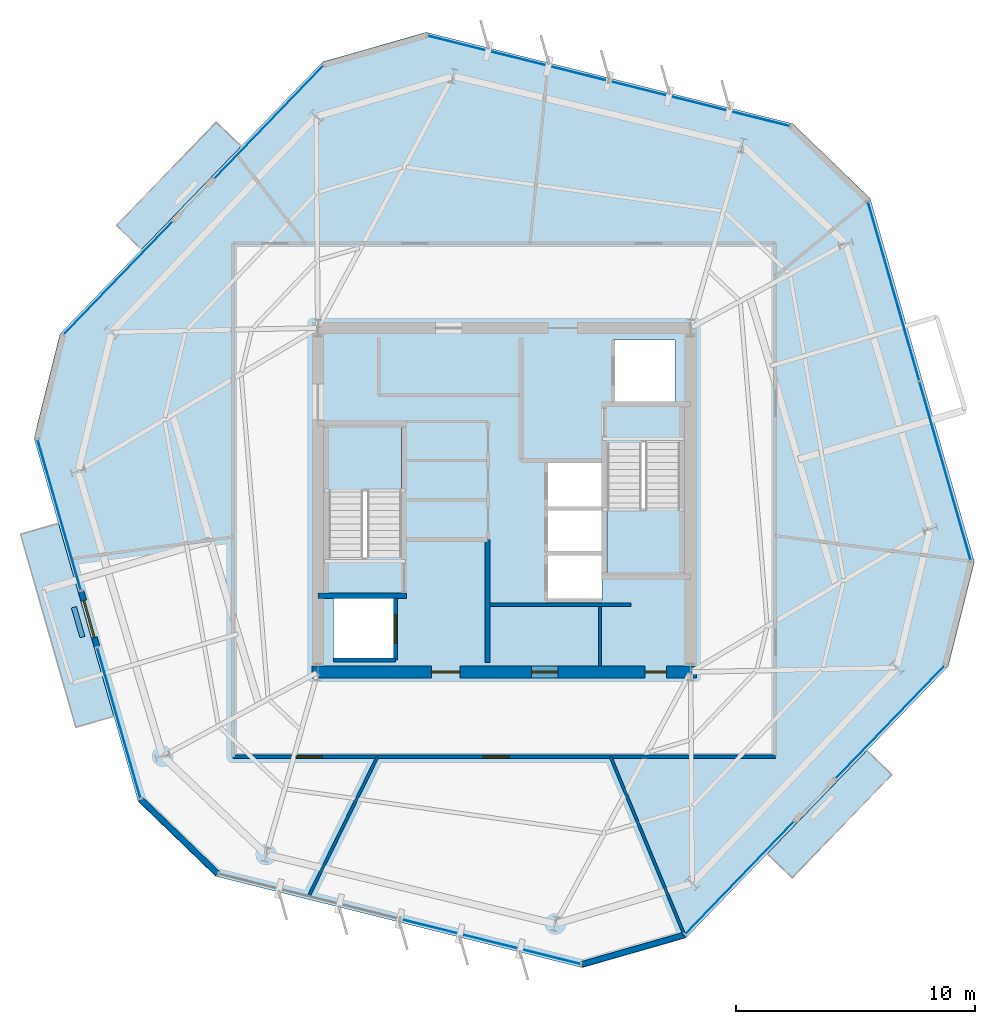
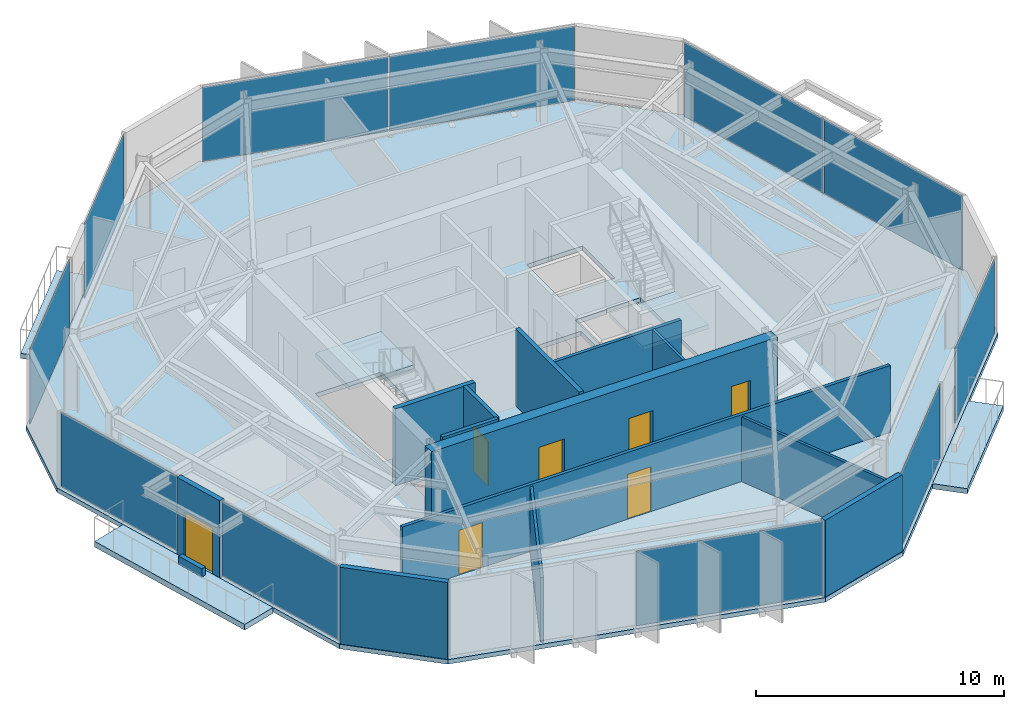
# One storey, part 6 of 11: 14 walls, 11 plates, 7 doors, 6 slabs, 7 openings, 11 elements without a shape of their own.
"""IFC4 building model written with IfcOpenShell, lengths in metres."""

from ifc_helpers import new_model, si_unit, direction, frame, frame_2d, origin, origin_2d, place, context, subcontext, project, spatial, polyline, rectangle, outline, extrude, material, layer, layer_set, type_object, element, fill, aggregate, save


model = new_model("IFC4")

# Units and contexts
model_context = context("Model", 3, precision=1e-05, world=origin(), true_north=direction((0.0, 1.0)))
body_context = subcontext(model_context, "Body", "Model", "MODEL_VIEW")
ifc_project = project(units=[si_unit("LENGTHUNIT", "METRE"), si_unit("AREAUNIT", "SQUARE_METRE"), si_unit("VOLUMEUNIT", "CUBIC_METRE"), si_unit("PLANEANGLEUNIT", "RADIAN"), si_unit("MASSUNIT", "GRAM", prefix="KILO")], contexts=[model_context])

# Site, building, storey
site_placement = place(None, origin())
site = spatial("IfcSite", under=ifc_project, at=site_placement, CompositionType="ELEMENT")
building_placement = place(site_placement, origin())
building = spatial("IfcBuilding", under=site, at=building_placement, Name="Kranzbogen Civic Tower", CompositionType="ELEMENT")
storey_placement = place(building_placement, frame((0.0, 0.0, 208.800048828125)))
storey = spatial("IfcBuildingStorey", under=building, at=storey_placement, Name="L50", CompositionType="ELEMENT", Elevation=208.800048828125)

# Slab
ifc_material_1 = material(Name="Concrete C40/50", Category="concrete")
ifc_layer_1 = layer(ifc_material_1, 0.219970703125, Name="Concrete C40/50")
ifc_layer_set_1 = layer_set([ifc_layer_1], Name="Concrete C40/50")
slab_type_1 = type_object("IfcSlabType", Name="Composite Upper Tower Floor Slab 220 mm", PredefinedType="FLOOR", material=ifc_layer_set_1)
slab_1_placement = place(storey_placement, frame((0.0, 0.0, -0.219970703125)))
element("IfcSlab", 1, at=slab_1_placement, inside=storey, type_object=slab_type_1, Name="L50 tower floor slab", PredefinedType="FLOOR", context=body_context, shape_type="SweptSolid", body=[
    extrude(outline(polyline([(37.077880859375, 40.74609375), (21.72802734375, 44.572998046875), (17.403076171875, 43.3330078125), (6.4130859375, 31.952880859375), (5.324951171875, 27.5869140625), (9.68505859375, 12.3798828125), (12.922119140625, 9.25390625), (28.27197265625, 5.427001953125), (32.596923828125, 6.6669921875), (43.5869140625, 18.047119140625), (44.675048828125, 22.4130859375), (40.31494140625, 37.6201171875), (37.077880859375, 40.74609375)]), holes=[polyline([(17.85009765625, 20.89990234375), (20.449951171875, 20.89990234375), (20.449951171875, 18.300048828125), (17.85009765625, 18.300048828125), (17.85009765625, 20.89990234375)]), polyline([(29.10009765625, 22.699951171875), (29.10009765625, 20.800048828125), (26.75, 20.800048828125), (26.75, 22.699951171875), (29.10009765625, 22.699951171875)]), polyline([(29.10009765625, 24.64990234375), (29.10009765625, 22.77490234375), (26.75, 22.77490234375), (26.75, 24.64990234375), (26.75, 24.675048828125), (26.75, 26.550048828125), (29.10009765625, 26.550048828125), (29.10009765625, 24.675048828125), (29.10009765625, 24.64990234375)]), polyline([(29.300048828125, 27.340087890625), (30.75, 27.340087890625), (30.75, 27.39990234375), (32.35009765625, 27.39990234375), (32.35009765625, 21.89990234375), (29.300048828125, 21.89990234375), (29.300048828125, 27.340087890625)]), polyline([(20.699951171875, 22.659912109375), (19.25, 22.659912109375), (19.25, 22.60009765625), (17.64990234375, 22.60009765625), (17.64990234375, 28.10009765625), (20.699951171875, 28.10009765625), (20.699951171875, 22.659912109375)]), polyline([(32.14990234375, 31.699951171875), (32.14990234375, 29.10009765625), (29.550048828125, 29.10009765625), (29.550048828125, 31.699951171875), (32.14990234375, 31.699951171875)])]), origin(), (0.0, 0.0, 1.0), 0.219970703125),
])

# Curtain wall, plates
ifc_material_2 = material(Name="Pale Anodised Aluminium", Category="aluminium")
ifc_layer_2 = layer(ifc_material_2, 0.219970703125, Name="Pale Anodised Aluminium")
ifc_layer_set_2 = layer_set([ifc_layer_2], Name="Pale Anodised Aluminium")
curtain_wall_type = type_object("IfcCurtainWallType", Name="Zone 3 Stick Curtain Wall System CW-04", PredefinedType="USERDEFINED", material=ifc_layer_set_2)
curtain_wall_1_placement = place(storey_placement, origin())
curtain_wall_1 = element("IfcCurtainWall", 2, at=curtain_wall_1_placement, inside=storey, type_object=curtain_wall_type, Name="L50 curtain wall CW-L50-F1", ObjectType="STICK CURTAIN WALL", PredefinedType="USERDEFINED")
ifc_material_3 = material(Name="Low-E Triple Glazing Glass", Category="glass")
ifc_layer_3 = layer(ifc_material_3, 0.030029296875, Name="Low-E Triple Glazing Glass")
ifc_layer_set_3 = layer_set([ifc_layer_3], Name="Low-E Triple Glazing Glass")
plate_type = type_object("IfcPlateType", Name="Insulated Low-E Glazing Panel 30 mm", PredefinedType="CURTAIN_PANEL", material=ifc_layer_set_3)
plate_1_placement = place(storey_placement, frame((33.16796875, 41.588623046875, 0.06005859375), z_axis=(0.0, 0.0, 1.0), x_axis=(-0.970299572817, 0.241906467442, 0.0)))
plate_1 = element("IfcPlate", 3, at=plate_1_placement, type_object=plate_type, Name="CW-04 panel 1.1", PredefinedType="CURTAIN_PANEL", context=body_context, shape_type="SweptSolid", body=[
    extrude(rectangle(XDim=7.76416015625, YDim=0.028076171875, at=origin_2d()), origin(), (0.0, 0.0, 1.0), 3.659912109375),
])
plate_2_placement = place(storey_placement, frame((25.576171875, 43.4814453125, 0.06005859375), z_axis=(0.0, 0.0, 1.0), x_axis=(-0.970299572817, 0.241906467442, 0.0)))
plate_2 = element("IfcPlate", 4, at=plate_2_placement, type_object=plate_type, Name="CW-04 panel 2.1", PredefinedType="CURTAIN_PANEL", context=body_context, shape_type="SweptSolid", body=[
    extrude(rectangle(XDim=7.76416015625, YDim=0.028076171875, at=origin_2d()), origin(), (0.0, 0.0, 1.0), 3.659912109375),
])
aggregate(curtain_wall_1, [plate_1, plate_2])

# Curtain wall, plate
curtain_wall_2_placement = place(storey_placement, origin())
curtain_wall_2 = element("IfcCurtainWall", 5, at=curtain_wall_2_placement, inside=storey, type_object=curtain_wall_type, Name="L50 curtain wall CW-L50-F2-S1", ObjectType="STICK CURTAIN WALL", PredefinedType="USERDEFINED")
plate_3_placement = place(storey_placement, frame((15.1455078125, 40.810546875, 0.06005859375), z_axis=(0.0, 0.0, 1.0), x_axis=(-0.694677640583, -0.719321190897, 0.0)))
plate_3 = element("IfcPlate", 6, at=plate_3_placement, type_object=plate_type, Name="CW-04 panel 1.1", PredefinedType="CURTAIN_PANEL", context=body_context, shape_type="SweptSolid", body=[
    extrude(rectangle(XDim=6.534912109375, YDim=0.028076171875, at=origin_2d()), origin(), (0.0, 0.0, 1.0), 3.659912109375),
])
aggregate(curtain_wall_2, [plate_3])

curtain_wall_3_placement = place(storey_placement, origin())
curtain_wall_3 = element("IfcCurtainWall", 7, at=curtain_wall_3_placement, inside=storey, type_object=curtain_wall_type, Name="L50 curtain wall CW-L50-F2-S2", ObjectType="STICK CURTAIN WALL", PredefinedType="USERDEFINED")
plate_4_placement = place(storey_placement, frame((8.85546875, 34.297607421875, 0.06005859375), z_axis=(0.0, 0.0, 1.0), x_axis=(-0.694677640583, -0.719321190897, 0.0)))
plate_4 = element("IfcPlate", 8, at=plate_4_placement, type_object=plate_type, Name="CW-04 panel 1.1", PredefinedType="CURTAIN_PANEL", context=body_context, shape_type="SweptSolid", body=[
    extrude(rectangle(XDim=6.534912109375, YDim=0.028076171875, at=origin_2d()), origin(), (0.0, 0.0, 1.0), 3.659912109375),
])
aggregate(curtain_wall_3, [plate_4])

curtain_wall_4_placement = place(storey_placement, origin())
curtain_wall_4 = element("IfcCurtainWall", 9, at=curtain_wall_4_placement, inside=storey, type_object=curtain_wall_type, Name="L50 curtain wall CW-L50-F3-S1", ObjectType="STICK CURTAIN WALL", PredefinedType="USERDEFINED")
plate_5_placement = place(storey_placement, frame((6.381103515625, 24.37060546875, 0.06005859375), z_axis=(0.0, 0.0, 1.0), x_axis=(0.275594278919, -0.961274046996, 0.0)))
plate_5 = element("IfcPlate", 10, at=plate_5_placement, type_object=plate_type, Name="CW-04 panel 1.1", PredefinedType="CURTAIN_PANEL", context=body_context, shape_type="SweptSolid", body=[
    extrude(rectangle(XDim=6.53466796875, YDim=0.028076171875, at=origin_2d()), origin(), (0.0, 0.0, 1.0), 3.659912109375),
])
aggregate(curtain_wall_4, [plate_5])

curtain_wall_5_placement = place(storey_placement, origin())
curtain_wall_5 = element("IfcCurtainWall", 11, at=curtain_wall_5_placement, inside=storey, type_object=curtain_wall_type, Name="L50 curtain wall CW-L50-F3-S2", ObjectType="STICK CURTAIN WALL", PredefinedType="USERDEFINED")
plate_6_placement = place(storey_placement, frame((8.8759765625, 15.6669921875, 0.06005859375), z_axis=(0.0, 0.0, 1.0), x_axis=(0.275634094063, -0.961262631225, 0.0)))
plate_6 = element("IfcPlate", 12, at=plate_6_placement, type_object=plate_type, Name="CW-04 panel 1.1", PredefinedType="CURTAIN_PANEL", context=body_context, shape_type="SweptSolid", body=[
    extrude(rectangle(XDim=6.53369140625, YDim=0.028076171875, at=origin_2d()), origin(), (0.0, 0.0, 1.0), 3.659912109375),
])
aggregate(curtain_wall_5, [plate_6])

curtain_wall_6_placement = place(storey_placement, origin())
curtain_wall_6 = element("IfcCurtainWall", 13, at=curtain_wall_6_placement, inside=storey, type_object=curtain_wall_type, Name="L50 curtain wall CW-L50-F4", ObjectType="STICK CURTAIN WALL", PredefinedType="USERDEFINED")
plate_7_placement = place(storey_placement, frame((24.423828125, 6.5185546875, 0.06005859375), z_axis=(0.0, 0.0, 1.0), x_axis=(0.970299572817, -0.241906467442, 0.0)))
plate_7 = element("IfcPlate", 14, at=plate_7_placement, type_object=plate_type, Name="CW-04 panel 2.1", PredefinedType="CURTAIN_PANEL", context=body_context, shape_type="SweptSolid", body=[
    extrude(rectangle(XDim=7.76416015625, YDim=0.028076171875, at=origin_2d()), origin(), (0.0, 0.0, 1.0), 3.659912109375),
])
aggregate(curtain_wall_6, [plate_7])

curtain_wall_7_placement = place(storey_placement, origin())
curtain_wall_7 = element("IfcCurtainWall", 15, at=curtain_wall_7_placement, inside=storey, type_object=curtain_wall_type, Name="L50 curtain wall CW-L50-F5-S1", ObjectType="STICK CURTAIN WALL", PredefinedType="USERDEFINED")
plate_8_placement = place(storey_placement, frame((34.8544921875, 9.189453125, 0.06005859375), z_axis=(0.0, 0.0, 1.0), x_axis=(0.694677640583, 0.719321190897, 0.0)))
plate_8 = element("IfcPlate", 16, at=plate_8_placement, type_object=plate_type, Name="CW-04 panel 1.1", PredefinedType="CURTAIN_PANEL", context=body_context, shape_type="SweptSolid", body=[
    extrude(rectangle(XDim=6.534912109375, YDim=0.028076171875, at=origin_2d()), origin(), (0.0, 0.0, 1.0), 3.659912109375),
])
aggregate(curtain_wall_7, [plate_8])

curtain_wall_8_placement = place(storey_placement, origin())
curtain_wall_8 = element("IfcCurtainWall", 17, at=curtain_wall_8_placement, inside=storey, type_object=curtain_wall_type, Name="L50 curtain wall CW-L50-F5-S2", ObjectType="STICK CURTAIN WALL", PredefinedType="USERDEFINED")
plate_9_placement = place(storey_placement, frame((41.14453125, 15.702392578125, 0.06005859375), z_axis=(0.0, 0.0, 1.0), x_axis=(0.694677640583, 0.719321190897, 0.0)))
plate_9 = element("IfcPlate", 18, at=plate_9_placement, type_object=plate_type, Name="CW-04 panel 1.1", PredefinedType="CURTAIN_PANEL", context=body_context, shape_type="SweptSolid", body=[
    extrude(rectangle(XDim=6.534912109375, YDim=0.028076171875, at=origin_2d()), origin(), (0.0, 0.0, 1.0), 3.659912109375),
])
aggregate(curtain_wall_8, [plate_9])

# Curtain wall, plates
curtain_wall_9_placement = place(storey_placement, origin())
curtain_wall_9 = element("IfcCurtainWall", 19, at=curtain_wall_9_placement, inside=storey, type_object=curtain_wall_type, Name="L50 curtain wall CW-L50-F6", ObjectType="STICK CURTAIN WALL", PredefinedType="USERDEFINED")
plate_10_placement = place(storey_placement, frame((43.44970703125, 26.220458984375, 0.06005859375), z_axis=(0.0, 0.0, 1.0), x_axis=(-0.275587041813, 0.961276121822, 0.0)))
plate_10 = element("IfcPlate", 20, at=plate_10_placement, type_object=plate_type, Name="CW-04 panel 1.1", PredefinedType="CURTAIN_PANEL", context=body_context, shape_type="SweptSolid", body=[
    extrude(rectangle(XDim=7.76416015625, YDim=0.028076171875, at=origin_2d()), origin(), (0.0, 0.0, 1.0), 3.659912109375),
])
plate_11_placement = place(storey_placement, frame((41.29345703125, 33.74169921875, 0.06005859375), z_axis=(0.0, 0.0, 1.0), x_axis=(-0.275587041813, 0.961276121822, 0.0)))
plate_11 = element("IfcPlate", 21, at=plate_11_placement, type_object=plate_type, Name="CW-04 panel 2.1", PredefinedType="CURTAIN_PANEL", context=body_context, shape_type="SweptSolid", body=[
    extrude(rectangle(XDim=7.76416015625, YDim=0.028076171875, at=origin_2d()), origin(), (0.0, 0.0, 1.0), 3.659912109375),
])
aggregate(curtain_wall_9, [plate_10, plate_11])

# Stair, slab
ifc_material_4 = material(Name="Precast concrete C40/50", Category="concrete")
stair_type_1 = type_object("IfcStairType", Name="Tower Core Pressurized Dogleg Stair 1450", PredefinedType="HALF_TURN_STAIR", material=ifc_material_4)
stair_1_placement = place(storey_placement, origin())
stair_1 = element("IfcStair", 22, at=stair_1_placement, inside=storey, type_object=stair_type_1, Name="L50 Tower Core Pressurized Stair 1", PredefinedType="HALF_TURN_STAIR")
ifc_layer_4 = layer(ifc_material_4, 0.199951171875, Name="Precast concrete C40/50")
ifc_layer_set_4 = layer_set([ifc_layer_4], Name="Precast concrete C40/50")
slab_type_2 = type_object("IfcSlabType", Name="Precast Concrete Stair Landing Slab 200 mm", PredefinedType="LANDING", material=ifc_layer_set_4)
slab_2_placement = place(storey_placement, frame((0.0, 0.0, 1.800048828125)))
slab_2 = element("IfcSlab", 23, at=slab_2_placement, type_object=slab_type_2, Name="ST-T1 landing 1", PredefinedType="LANDING", context=body_context, shape_type="SweptSolid", body=[
    extrude(outline(polyline([(20.699951171875, 25.39990234375), (20.699951171875, 28.10009765625), (17.64990234375, 28.10009765625), (17.64990234375, 25.39990234375), (20.699951171875, 25.39990234375)])), origin(), (0.0, 0.0, 1.0), 0.199951171875),
])
aggregate(stair_1, [slab_2])

stair_type_2 = type_object("IfcStairType", Name="Tower Core Secondary Dogleg Stair 1450", PredefinedType="HALF_TURN_STAIR", material=ifc_material_4)
stair_2_placement = place(storey_placement, origin())
stair_2 = element("IfcStair", 24, at=stair_2_placement, inside=storey, type_object=stair_type_2, Name="L50 Tower Core Pressurized Stair 2", PredefinedType="HALF_TURN_STAIR")
slab_3_placement = place(storey_placement, frame((0.0, 0.0, 1.800048828125)))
slab_3 = element("IfcSlab", 25, at=slab_3_placement, type_object=slab_type_2, Name="ST-T2 landing 1", PredefinedType="LANDING", context=body_context, shape_type="SweptSolid", body=[
    extrude(outline(polyline([(29.300048828125, 24.60009765625), (29.300048828125, 21.89990234375), (32.35009765625, 21.89990234375), (32.35009765625, 24.60009765625), (29.300048828125, 24.60009765625)])), origin(), (0.0, 0.0, 1.0), 0.199951171875),
])
aggregate(stair_2, [slab_3])

# Slabs
ifc_layer_5 = layer(ifc_material_1, 0.280029296875, Name="Concrete C40/50")
ifc_layer_set_5 = layer_set([ifc_layer_5], Name="Concrete C40/50")
slab_type_3 = type_object("IfcSlabType", Name="Spiral Terrace Cantilevered Slab 280 mm", PredefinedType="FLOOR", material=ifc_layer_set_5)
slab_4_placement = place(storey_placement, frame((0.0, 0.0, -0.280029296875)))
element("IfcSlab", 26, at=slab_4_placement, inside=storey, type_object=slab_type_3, Name="L50 cantilevered spiral terrace L50-ST", PredefinedType="FLOOR", context=body_context, shape_type="SweptSolid", body=[
    extrude(outline(polyline([(6.346923828125, 24.02099609375), (8.6630859375, 15.946044921875), (7.076904296875, 15.490966796875), (4.760986328125, 23.56591796875), (6.346923828125, 24.02099609375)])), origin(), (0.0, 0.0, 1.0), 0.280029296875),
])
ifc_layer_6 = layer(ifc_material_1, 0.25, Name="Concrete C40/50")
ifc_layer_set_6 = layer_set([ifc_layer_6], Name="Concrete C40/50")
slab_type_4 = type_object("IfcSlabType", Name="Tree Balcony Cantilevered Slab 250 mm", PredefinedType="FLOOR", material=ifc_layer_set_6)
slab_5_placement = place(storey_placement, frame((0.0, 0.0, -0.25)))
element("IfcSlab", 27, at=slab_5_placement, inside=storey, type_object=slab_type_4, Name="L50 cantilevered tree balcony L50-TB1", PredefinedType="FLOOR", context=body_context, shape_type="SweptSolid", body=[
    extrude(outline(polyline([(13.991943359375, 39.801025390625), (9.823974609375, 35.485107421875), (8.781005859375, 36.491943359375), (12.948974609375, 40.80810546875), (13.991943359375, 39.801025390625)])), origin(), (0.0, 0.0, 1.0), 0.25),
])
slab_6_placement = place(storey_placement, frame((0.0, 0.0, -0.25)))
element("IfcSlab", 28, at=slab_6_placement, inside=storey, type_object=slab_type_4, Name="L50 cantilevered tree balcony L50-TB2", PredefinedType="FLOOR", context=body_context, shape_type="SweptSolid", body=[
    extrude(outline(polyline([(36.008056640625, 10.198974609375), (40.176025390625, 14.514892578125), (41.218994140625, 13.508056640625), (37.051025390625, 9.19189453125), (36.008056640625, 10.198974609375)])), origin(), (0.0, 0.0, 1.0), 0.25),
])

# Wall
ifc_material_5 = material(Name="Double-Stud Acoustic Gypsum Partition")
ifc_layer_7 = layer(ifc_material_5, 0.14990234375, Name="Double-Stud Acoustic Gypsum Partition")
ifc_layer_set_7 = layer_set([ifc_layer_7], Name="Double-Stud Acoustic Gypsum Partition")
wall_type_1 = type_object("IfcWallType", Name="Acoustic Corridor and Clinical Partition 150 mm", PredefinedType="PARTITIONING", material=ifc_layer_set_7)
wall_1_placement = place(storey_placement, frame((24.39990234375, 20.610107421875, 0.0), z_axis=(0.0, 0.0, 1.0), x_axis=(1.0, 0.0, 0.0)))
element("IfcWall", 29, at=wall_1_placement, inside=storey, type_object=wall_type_1, Name="L50 records zone North wall", PredefinedType="PARTITIONING", context=body_context, shape_type="SweptSolid", body=[
    extrude(rectangle(XDim=5.900146484375, YDim=0.14990234375, at=frame_2d((2.9501953125, 0.0))), origin(), (0.0, 0.0, 1.0), 3.780029296875),
])

# Wall, openings, doors
wall_2_placement = place(storey_placement, frame((36.35009765625, 14.25, 0.0), z_axis=(0.0, 0.0, 1.0), x_axis=(-1.0, 0.0, 0.0)))
wall_2 = element("IfcWall", 30, at=wall_2_placement, inside=storey, type_object=wall_type_1, Name="L50 corridor partition 03", PredefinedType="PARTITIONING", context=body_context, shape_type="SweptSolid", body=[
    extrude(rectangle(XDim=22.7001953125, YDim=0.14990234375, at=frame_2d((11.35009765625, 0.0))), origin(), (0.0, 0.0, 1.0), 3.280029296875),
])
opening_1_placement = place(wall_2_placement, frame((18.962890625, 0.0, 0.0)))
opening_1 = element("IfcOpeningElement", 31, at=opening_1_placement, cuts=wall_2, Name="Opening D-COR60", PredefinedType="OPENING", context=body_context, shape_type="SweptSolid", body=[
    extrude(rectangle(XDim=1.10009765625, YDim=2.199951171875, at=frame_2d((0.550048828125, 1.10009765625))), frame((0.0, 0.0849609375, 0.0), z_axis=(0.0, -1.0, 0.0), x_axis=(1.0, 0.0, 0.0)), (0.0, 0.0, 1.0), 0.169921875),
])
opening_2_placement = place(wall_2_placement, frame((11.137939453125, 0.0, 0.0)))
opening_2 = element("IfcOpeningElement", 32, at=opening_2_placement, cuts=wall_2, Name="Opening D-COR60", PredefinedType="OPENING", context=body_context, shape_type="SweptSolid", body=[
    extrude(rectangle(XDim=1.10009765625, YDim=2.199951171875, at=frame_2d((0.550048828125, 1.10009765625))), frame((0.0, 0.0849609375, 0.0), z_axis=(0.0, -1.0, 0.0), x_axis=(1.0, 0.0, 0.0)), (0.0, 0.0, 1.0), 0.169921875),
])
ifc_material_6 = material(Name="Oak Timber and Fire Core", Category="wood")
door_type_1 = type_object("IfcDoorType", Name="Corridor Acoustic Fire Door 1100x2200", OperationType="NOTDEFINED", PredefinedType="DOOR", material=ifc_material_6)
door_1_placement = place(opening_1_placement, origin())
door_1 = element("IfcDoor", 33, at=door_1_placement, inside=storey, type_object=door_type_1, Name="L50 Delegates Sitting Lounge door", OperationType="SINGLE_SWING_LEFT", OverallHeight=2.199951171875, OverallWidth=1.10009765625, PredefinedType="DOOR", context=body_context, shape_type="SweptSolid", body=[
    extrude(rectangle(XDim=1.10009765625, YDim=2.199951171875, at=frame_2d((0.550048828125, 1.10009765625))), frame((0.0, 0.02490234375, 0.0), z_axis=(0.0, -1.0, 0.0), x_axis=(1.0, 0.0, 0.0)), (0.0, 0.0, 1.0), 0.050048828125),
])
fill(opening_1, door_1)
door_2_placement = place(opening_2_placement, origin())
door_2 = element("IfcDoor", 34, at=door_2_placement, inside=storey, type_object=door_type_1, Name="L50 Executive Research Study door", OperationType="SINGLE_SWING_RIGHT", OverallHeight=2.199951171875, OverallWidth=1.10009765625, PredefinedType="DOOR", context=body_context, shape_type="SweptSolid", body=[
    extrude(rectangle(XDim=1.10009765625, YDim=2.199951171875, at=frame_2d((0.550048828125, 1.10009765625))), frame((0.0, 0.02490234375, 0.0), z_axis=(0.0, -1.0, 0.0), x_axis=(1.0, 0.0, 0.0)), (0.0, 0.0, 1.0), 0.050048828125),
])
fill(opening_2, door_2)

# Walls
ifc_material_7 = material(Name="Insulated Metal-Stud Gypsum Partition")
ifc_layer_8 = layer(ifc_material_7, 0.125, Name="Insulated Metal-Stud Gypsum Partition")
ifc_layer_set_8 = layer_set([ifc_layer_8], Name="Insulated Metal-Stud Gypsum Partition")
wall_type_2 = type_object("IfcWallType", Name="Acoustic Inter-Room Partition 125 mm", PredefinedType="PARTITIONING", material=ifc_layer_set_8)
wall_3_placement = place(storey_placement, frame((29.010009765625, 18.050048828125, 0.0), z_axis=(0.0, 0.0, 1.0), x_axis=(0.0, 1.0, 0.0)))
element("IfcWall", 35, at=wall_3_placement, inside=storey, type_object=wall_type_2, Name="L50 core auxiliary partition 1", PredefinedType="PARTITIONING", context=body_context, shape_type="SweptSolid", body=[
    extrude(rectangle(XDim=2.5, YDim=0.125, at=frame_2d((1.25, 0.0))), origin(), (0.0, 0.0, 1.0), 3.780029296875),
])
wall_4_placement = place(storey_placement, frame((19.696044921875, 14.25, 0.0), z_axis=(0.0, 0.0, 1.0), x_axis=(-0.442406889635, -0.896814442348, 0.0)))
element("IfcWall", 36, at=wall_4_placement, inside=storey, type_object=wall_type_2, Name="L50 radial room partition 04", PredefinedType="PARTITIONING", context=body_context, shape_type="SweptSolid", body=[
    extrude(rectangle(XDim=6.48974609375, YDim=0.125, at=frame_2d((3.244873046875, 0.0))), origin(), (0.0, 0.0, 1.0), 3.179931640625),
])
wall_5_placement = place(storey_placement, frame((29.455078125, 14.25, 0.0), z_axis=(0.0, 0.0, 1.0), x_axis=(0.382715181566, -0.923866380923, 0.0)))
element("IfcWall", 37, at=wall_5_placement, inside=storey, type_object=wall_type_2, Name="L50 radial room partition 05", PredefinedType="PARTITIONING", context=body_context, shape_type="SweptSolid", body=[
    extrude(rectangle(XDim=8.0498046875, YDim=0.125, at=frame_2d((4.02490234375, 0.0))), origin(), (0.0, 0.0, 1.0), 3.179931640625),
])
ifc_material_8 = material(Name="Architectural Precast Terracotta Concrete C40/50", Category="masonry")
ifc_layer_9 = layer(ifc_material_8, 0.219970703125, Name="Architectural Precast Terracotta Concrete C40/50")
ifc_layer_set_9 = layer_set([ifc_layer_9], Name="Architectural Precast Terracotta Concrete C40/50")
wall_type_3 = type_object("IfcWallType", Name="Architectural Tree Planter Kerb Wall 220 mm", PredefinedType="USERDEFINED", material=ifc_layer_set_9)
wall_6_placement = place(storey_placement, frame((6.992919921875, 20.512939453125, 0.0), z_axis=(0.0, 0.0, 1.0), x_axis=(0.275440197567, -0.961318208277, 0.0)))
element("IfcWall", 38, at=wall_6_placement, inside=storey, type_object=wall_type_3, Name="L50 landscaped tree balcony planter L50-ST", ObjectType="PLANTER_WALL", PredefinedType="USERDEFINED", context=body_context, shape_type="SweptSolid", body=[
    extrude(rectangle(XDim=1.30029296875, YDim=0.219970703125, at=frame_2d((0.650146484375, 0.0))), origin(), (0.0, 0.0, 1.0), 0.39990234375),
])

# Wall, openings, doors
ifc_material_9 = material(Name="Concrete C45/55", Category="concrete")
ifc_layer_10 = layer(ifc_material_9, 0.5, Name="Concrete C45/55")
ifc_layer_set_10 = layer_set([ifc_layer_10], Name="Concrete C45/55")
wall_type_4 = type_object("IfcWallType", Name="Central Core Shear Wall 500 mm", PredefinedType="SHEAR", material=ifc_layer_set_10)
wall_7_placement = place(storey_placement, frame((16.949951171875, 17.800048828125, 0.0), z_axis=(0.0, 0.0, 1.0), x_axis=(1.0, 0.0, 0.0)))
wall_7 = element("IfcWall", 39, at=wall_7_placement, inside=storey, type_object=wall_type_4, Name="L50 central core South shear wall", PredefinedType="SHEAR", context=body_context, shape_type="SweptSolid", body=[
    extrude(rectangle(XDim=16.10009765625, YDim=0.5, at=frame_2d((8.050048828125, 0.0))), origin(), (0.0, 0.0, 1.0), 3.780029296875),
])
opening_3_placement = place(wall_7_placement, frame((5.0, 0.0, 0.0)))
opening_3 = element("IfcOpeningElement", 40, at=opening_3_placement, cuts=wall_7, Name="Opening D-EX120", PredefinedType="OPENING", context=body_context, shape_type="SweptSolid", body=[
    extrude(rectangle(XDim=1.199951171875, YDim=2.25, at=frame_2d((0.60009765625, 1.125))), frame((0.0, 0.260009765625, 0.0), z_axis=(0.0, -1.0, 0.0), x_axis=(1.0, 0.0, 0.0)), (0.0, 0.0, 1.0), 0.52001953125),
])
opening_4_placement = place(wall_7_placement, frame((13.949951171875, 0.0, 0.0)))
opening_4 = element("IfcOpeningElement", 41, at=opening_4_placement, cuts=wall_7, Name="Opening D-WC90", PredefinedType="OPENING", context=body_context, shape_type="SweptSolid", body=[
    extrude(rectangle(XDim=0.89990234375, YDim=2.10009765625, at=frame_2d((0.449951171875, 1.050048828125))), frame((0.0, 0.260009765625, 0.0), z_axis=(0.0, -1.0, 0.0), x_axis=(1.0, 0.0, 0.0)), (0.0, 0.0, 1.0), 0.52001953125),
])
opening_5_placement = place(wall_7_placement, frame((9.199951171875, 0.0, 0.0)))
opening_5 = element("IfcOpeningElement", 42, at=opening_5_placement, cuts=wall_7, Name="Opening D-COR60", PredefinedType="OPENING", context=body_context, shape_type="SweptSolid", body=[
    extrude(rectangle(XDim=1.10009765625, YDim=2.199951171875, at=frame_2d((0.550048828125, 1.10009765625))), frame((0.0, 0.260009765625, 0.0), z_axis=(0.0, -1.0, 0.0), x_axis=(1.0, 0.0, 0.0)), (0.0, 0.0, 1.0), 0.52001953125),
])
door_3_placement = place(opening_5_placement, origin())
door_3 = element("IfcDoor", 43, at=door_3_placement, inside=storey, type_object=door_type_1, Name="L50 REC1 archive room door", OperationType="SINGLE_SWING_LEFT", OverallHeight=2.199951171875, OverallWidth=1.10009765625, PredefinedType="DOOR", context=body_context, shape_type="SweptSolid", body=[
    extrude(rectangle(XDim=1.10009765625, YDim=2.199951171875, at=frame_2d((0.550048828125, 1.10009765625))), frame((0.0, 0.02490234375, 0.0), z_axis=(0.0, -1.0, 0.0), x_axis=(1.0, 0.0, 0.0)), (0.0, 0.0, 1.0), 0.050048828125),
])
fill(opening_5, door_3)
ifc_material_10 = material(Name="Steel S355", Category="steel")
door_type_2 = type_object("IfcDoorType", Name="Exit Passageway Fire Door 1200x2250", OperationType="NOTDEFINED", PredefinedType="DOOR", material=ifc_material_10)
door_4_placement = place(opening_3_placement, origin())
door_4 = element("IfcDoor", 44, at=door_4_placement, inside=storey, type_object=door_type_2, Name="L50 West firefighting lobby corridor door", OperationType="SINGLE_SWING_LEFT", OverallHeight=2.25, OverallWidth=1.199951171875, PredefinedType="DOOR", context=body_context, shape_type="SweptSolid", body=[
    extrude(rectangle(XDim=1.199951171875, YDim=2.25, at=frame_2d((0.60009765625, 1.125))), frame((0.0, 0.02490234375, 0.0), z_axis=(0.0, -1.0, 0.0), x_axis=(1.0, 0.0, 0.0)), (0.0, 0.0, 1.0), 0.050048828125),
])
fill(opening_3, door_4)
ifc_material_11 = material(Name="Moisture-Resistant Laminate")
door_type_3 = type_object("IfcDoorType", Name="Standard Restroom and Store Door 900x2100", OperationType="NOTDEFINED", PredefinedType="DOOR", material=ifc_material_11)
door_5_placement = place(opening_4_placement, origin())
door_5 = element("IfcDoor", 45, at=door_5_placement, inside=storey, type_object=door_type_3, Name="L50 East electrical riser access door", OperationType="SINGLE_SWING_RIGHT", OverallHeight=2.10009765625, OverallWidth=0.89990234375, PredefinedType="DOOR", context=body_context, shape_type="SweptSolid", body=[
    extrude(rectangle(XDim=0.89990234375, YDim=2.10009765625, at=frame_2d((0.449951171875, 1.050048828125))), frame((0.0, 0.02490234375, 0.0), z_axis=(0.0, -1.0, 0.0), x_axis=(1.0, 0.0, 0.0)), (0.0, 0.0, 1.0), 0.050048828125),
])
fill(opening_4, door_5)

# Walls
ifc_layer_11 = layer(ifc_material_9, 0.219970703125, Name="Concrete C45/55")
ifc_layer_set_11 = layer_set([ifc_layer_11], Name="Concrete C45/55")
wall_type_5 = type_object("IfcWallType", Name="Core Internal Stair Structural Wall 220 mm", PredefinedType="SOLIDWALL", material=ifc_layer_set_11)
wall_8_placement = place(storey_placement, frame((17.199951171875, 20.989990234375, 0.0), z_axis=(0.0, 0.0, 1.0), x_axis=(1.0, 0.0, 0.0)))
element("IfcWall", 46, at=wall_8_placement, inside=storey, type_object=wall_type_5, Name="L50 ST-T1 South structural stair wall", PredefinedType="SOLIDWALL", context=body_context, shape_type="SweptSolid", body=[
    extrude(rectangle(XDim=3.719970703125, YDim=0.219970703125, at=frame_2d((1.85986328125, 0.0))), origin(), (0.0, 0.0, 1.0), 3.780029296875),
])
ifc_material_12 = material(Name="Gypsum Fireboard and Concrete Block", Category="concrete")
ifc_layer_12 = layer(ifc_material_12, 0.199951171875, Name="Gypsum Fireboard and Concrete Block")
ifc_layer_set_12 = layer_set([ifc_layer_12], Name="Gypsum Fireboard and Concrete Block")
wall_type_6 = type_object("IfcWallType", Name="Fire-Rated Exit Passageway and Stair Wall 200 mm", PredefinedType="PARTITIONING", material=ifc_layer_set_12)
wall_9_placement = place(storey_placement, frame((24.300048828125, 18.199951171875, 0.0), z_axis=(0.0, 0.0, 1.0), x_axis=(0.0, 1.0, 0.0)))
element("IfcWall", 47, at=wall_9_placement, inside=storey, type_object=wall_type_6, Name="L50 West firefighting lobby East wall", PredefinedType="PARTITIONING", context=body_context, shape_type="SweptSolid", body=[
    extrude(rectangle(XDim=5.150146484375, YDim=0.199951171875, at=frame_2d((2.5751953125, 0.0))), origin(), (0.0, 0.0, 1.0), 3.780029296875),
])

# Wall, opening, door
ifc_material_13 = material(Name="Gypsum Fireboard Shaftliner")
ifc_layer_13 = layer(ifc_material_13, 0.175048828125, Name="Gypsum Fireboard Shaftliner")
ifc_layer_set_13 = layer_set([ifc_layer_13], Name="Gypsum Fireboard Shaftliner")
wall_type_7 = type_object("IfcWallType", Name="Fire-Rated Lift and Service Shaft Wall 175 mm", PredefinedType="PARTITIONING", material=ifc_layer_set_13)
wall_10_placement = place(storey_placement, frame((20.449951171875, 18.300048828125, 0.0), z_axis=(0.0, 0.0, 1.0), x_axis=(0.0, 1.0, 0.0)))
wall_10 = element("IfcWall", 48, at=wall_10_placement, inside=storey, type_object=wall_type_7, Name="L50 lift FF-01 landing wall", PredefinedType="PARTITIONING", context=body_context, shape_type="SweptSolid", body=[
    extrude(rectangle(XDim=2.599853515625, YDim=0.175048828125, at=frame_2d((1.2998046875, 0.0))), origin(), (0.0, 0.0, 1.0), 3.780029296875),
])
opening_6_placement = place(wall_10_placement, frame((0.699951171875, 0.0, 0.0)))
opening_6 = element("IfcOpeningElement", 49, at=opening_6_placement, cuts=wall_10, Name="Opening LD-FF-01", PredefinedType="OPENING", context=body_context, shape_type="SweptSolid", body=[
    extrude(rectangle(XDim=1.199951171875, YDim=2.199951171875, at=frame_2d((0.60009765625, 1.10009765625))), frame((0.0, 0.09765625, 0.0), z_axis=(0.0, -1.0, 0.0), x_axis=(1.0, 0.0, 0.0)), (0.0, 0.0, 1.0), 0.195068359375),
])
door_type_4 = type_object("IfcDoorType", Name="Firefighting and Stretcher Lift Sliding Landing Door 1200x2200", OperationType="DOUBLE_DOOR_SLIDING", PredefinedType="DOOR", material=ifc_material_2)
door_6_placement = place(opening_6_placement, origin())
door_6 = element("IfcDoor", 50, at=door_6_placement, inside=storey, type_object=door_type_4, Name="L50 lift FF-01 sliding landing door", OperationType="DOUBLE_DOOR_SLIDING", OverallHeight=2.199951171875, OverallWidth=1.199951171875, PredefinedType="DOOR", context=body_context, shape_type="SweptSolid", body=[
    extrude(rectangle(XDim=1.199951171875, YDim=2.199951171875, at=frame_2d((0.60009765625, 1.10009765625))), frame((0.0, 0.02490234375, 0.0), z_axis=(0.0, -1.0, 0.0), x_axis=(1.0, 0.0, 0.0)), (0.0, 0.0, 1.0), 0.050048828125),
])
fill(opening_6, door_6)

# Wall
wall_11_placement = place(storey_placement, frame((17.85009765625, 18.300048828125, 0.0), z_axis=(0.0, 0.0, 1.0), x_axis=(1.0, 0.0, 0.0)))
element("IfcWall", 51, at=wall_11_placement, inside=storey, type_object=wall_type_7, Name="L50 lift FF-01 side wall", PredefinedType="PARTITIONING", context=body_context, shape_type="SweptSolid", body=[
    extrude(rectangle(XDim=2.599853515625, YDim=0.175048828125, at=frame_2d((1.2998046875, 0.0))), origin(), (0.0, 0.0, 1.0), 3.780029296875),
])

# Wall, opening, door
ifc_layer_14 = layer(ifc_material_2, 0.239990234375, Name="Pale Anodised Aluminium")
ifc_layer_set_14 = layer_set([ifc_layer_14], Name="Pale Anodised Aluminium")
wall_type_8 = type_object("IfcWallType", Name="Insulated Aluminium Facade Portal Wall 240 mm", PredefinedType="STANDARD", material=ifc_layer_set_14)
wall_12_placement = place(storey_placement, frame((7.298095703125, 21.172119140625, 0.0), z_axis=(0.0, 0.0, 1.0), x_axis=(0.275379420529, -0.961335620244, 0.0)))
wall_12 = element("IfcWall", 52, at=wall_12_placement, inside=storey, type_object=wall_type_8, Name="L50 exterior entrance portal wall 1", PredefinedType="STANDARD", context=body_context, shape_type="SweptSolid", body=[
    extrude(rectangle(XDim=2.39990234375, YDim=0.239990234375, at=frame_2d((1.199951171875, 0.0))), origin(), (0.0, 0.0, 1.0), 3.780029296875),
])
opening_7_placement = place(wall_12_placement, frame((0.39990234375, 0.0, 0.0)))
opening_7 = element("IfcOpeningElement", 53, at=opening_7_placement, cuts=wall_12, Name="Opening D-TER", PredefinedType="OPENING", context=body_context, shape_type="SweptSolid", body=[
    extrude(rectangle(XDim=1.60009765625, YDim=2.25, at=frame_2d((0.800048828125, 1.125))), frame((0.0, 0.1298828125, 0.0), z_axis=(0.0, -1.0, 0.0), x_axis=(1.0, 0.0, 0.0)), (0.0, 0.0, 1.0), 0.260009765625),
])
ifc_material_14 = material(Name="Anodised Bronze and Triple Glass", Category="glass")
door_type_5 = type_object("IfcDoorType", Name="Glazed Terrace and Balcony Double Door 1600x2250", OperationType="DOUBLE_DOOR_SINGLE_SWING", PredefinedType="DOOR", material=ifc_material_14)
door_7_placement = place(opening_7_placement, frame((1.60009765625, 0.0, 0.0), z_axis=(0.0, 0.0, 1.0), x_axis=(-1.0, 0.0, 0.0)))
door_7 = element("IfcDoor", 54, at=door_7_placement, inside=storey, type_object=door_type_5, Name="L50 spiral terrace access door L50-ST", OperationType="DOUBLE_DOOR_SINGLE_SWING", OverallHeight=2.25, OverallWidth=1.60009765625, PredefinedType="DOOR", context=body_context, shape_type="SweptSolid", body=[
    extrude(rectangle(XDim=1.60009765625, YDim=2.25, at=frame_2d((0.800048828125, 1.125))), frame((0.0, 0.02490234375, 0.0), z_axis=(0.0, -1.0, 0.0), x_axis=(1.0, 0.0, 0.0)), (0.0, 0.0, 1.0), 0.050048828125),
])
fill(opening_7, door_7)

# Walls
wall_13_placement = place(storey_placement, frame((9.79296875, 12.468994140625, 0.0), z_axis=(0.0, 0.0, 1.0), x_axis=(0.719320489357, -0.69467836701, 0.0)))
element("IfcWall", 55, at=wall_13_placement, inside=storey, type_object=wall_type_8, Name="L50 chamfered corner facade spandrel 3", PredefinedType="STANDARD", context=body_context, shape_type="SweptSolid", body=[
    extrude(rectangle(XDim=4.46826171875, YDim=0.239990234375, at=frame_2d((2.234130859375, 0.0))), origin(), (0.0, 0.0, 1.0), 3.780029296875),
])
wall_14_placement = place(storey_placement, frame((28.2490234375, 5.56494140625, 0.0), z_axis=(0.0, 0.0, 1.0), x_axis=(0.961280198868, 0.275572820258, 0.0)))
element("IfcWall", 56, at=wall_14_placement, inside=storey, type_object=wall_type_8, Name="L50 chamfered corner facade spandrel 4", PredefinedType="STANDARD", context=body_context, shape_type="SweptSolid", body=[
    extrude(rectangle(XDim=4.466796875, YDim=0.239990234375, at=frame_2d((2.2333984375, 0.0))), origin(), (0.0, 0.0, 1.0), 3.780029296875),
])

save(model, "model.ifc")
